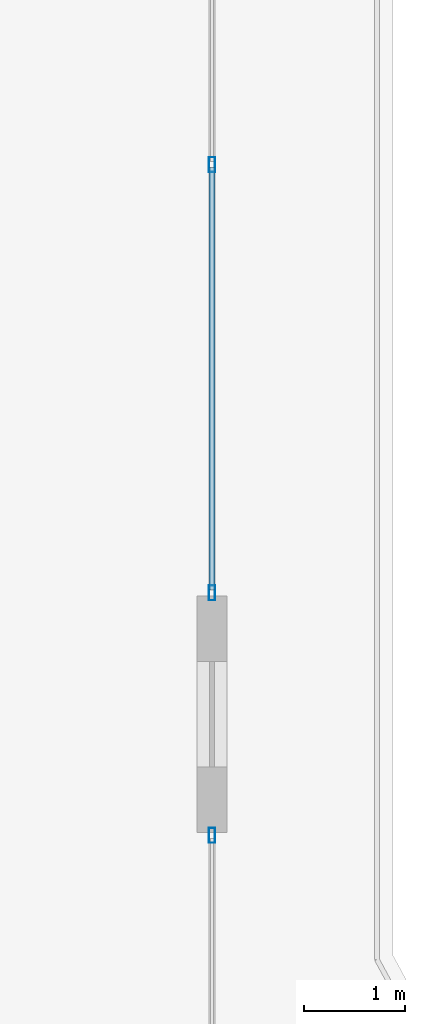
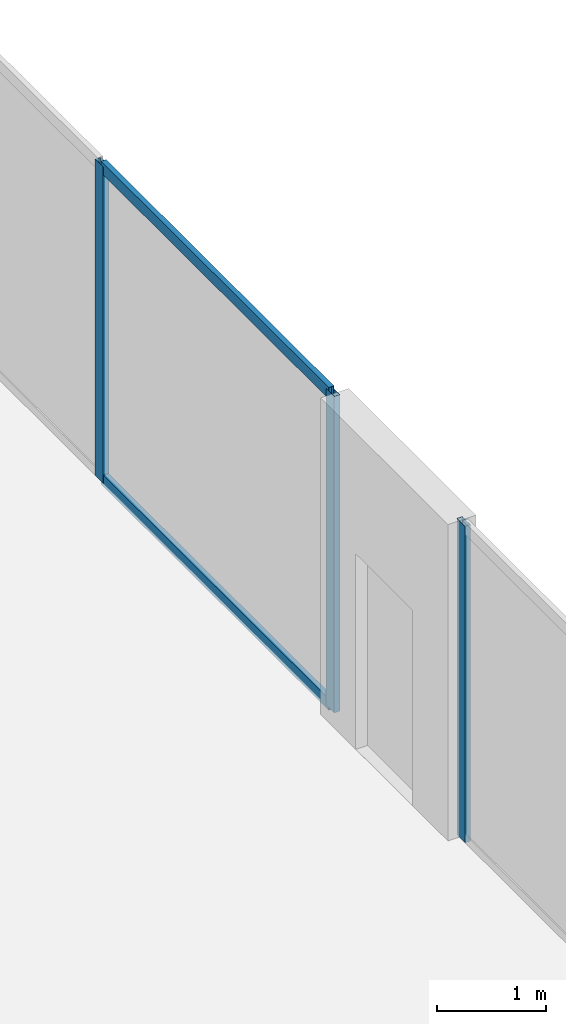
# One storey, part 15 of 27: 5 members, 2 elements without a shape of their own.
"""IFC4 building model written with IfcOpenShell, lengths in metres."""

from ifc_helpers import new_model, si_unit, direction, frame, origin, origin_2d, place, context, subcontext, project, spatial, hollow_rectangle, extrude, material, layer, layer_set, material_profile, profile_set, type_object, element, aggregate, save


model = new_model("IFC4")

# Units and contexts
model_context = context("Model", 3, precision=1e-05, world=origin(), true_north=direction((0.0, 1.0)))
body_context = subcontext(model_context, "Body", "Model", "MODEL_VIEW")
ifc_project = project(units=[si_unit("LENGTHUNIT", "METRE"), si_unit("AREAUNIT", "SQUARE_METRE"), si_unit("VOLUMEUNIT", "CUBIC_METRE"), si_unit("PLANEANGLEUNIT", "RADIAN"), si_unit("MASSUNIT", "GRAM", prefix="KILO")], contexts=[model_context])

# Site, building, storey
site_placement = place(None, origin())
site = spatial("IfcSite", under=ifc_project, at=site_placement, CompositionType="ELEMENT")
building_placement = place(site_placement, origin())
building = spatial("IfcBuilding", under=site, at=building_placement, Name="Zuhayl Quay Hotel", CompositionType="ELEMENT")
storey_placement = place(building_placement, frame((0.0, 0.0, 297.25)))
storey = spatial("IfcBuildingStorey", under=building, at=storey_placement, Name="Crown 1", CompositionType="ELEMENT", Elevation=297.25)

# Curtain wall, members
ifc_material_1 = material(Name="Anodised Aluminium 6063-T6", Category="aluminium")
ifc_layer = layer(ifc_material_1, 0.159912109375, Name="Anodised Aluminium 6063-T6", Category="aluminium")
ifc_layer_set = layer_set([ifc_layer], Name="Anodised Aluminium 6063-T6")
curtain_wall_type = type_object("IfcCurtainWallType", Name="CW_SYS_CRN", PredefinedType="USERDEFINED", material=ifc_layer_set)
curtain_wall_1_placement = place(storey_placement, origin())
curtain_wall_1 = element("IfcCurtainWall", 1, at=curtain_wall_1_placement, inside=storey, type_object=curtain_wall_type, Name="Crown 1 Curtain Wall ENV_CR1_E5_CW1", ObjectType="UNITISED CURTAIN WALL", PredefinedType="USERDEFINED")
ifc_material_2 = material(Name="Black-anodised aluminium 6063-T6", Category="aluminium")
ifc_material_profile_1 = material_profile(ifc_material_2, hollow_rectangle(XDim=0.06005859375, YDim=0.14990234375, WallThickness=0.00341796875, at=origin_2d()), Name="ALU150X60")
ifc_profile_set_1 = profile_set([ifc_material_profile_1], Name="Black-anodised aluminium 6063-T6")
member_type_1 = type_object("IfcMemberType", Name="MB_CW_MUL_150", PredefinedType="MULLION", material=ifc_profile_set_1)
member_1_placement = place(storey_placement, frame((18.39990234375, 31.96240234375, 0.0), z_axis=(0.0, 0.0, 1.0), x_axis=(1.0, 0.0, 0.0)))
member_1 = element("IfcMember", 2, at=member_1_placement, type_object=member_type_1, Name="CW-CRN mullion 2", PredefinedType="MULLION", context=body_context, shape_type="SweptSolid", body=[
    extrude(hollow_rectangle(XDim=0.06005859375, YDim=0.14990234375, WallThickness=0.00341796875, at=origin_2d()), origin(), (0.0, 0.0, 1.0), 3.56005859375),
])
member_2_placement = place(storey_placement, frame((18.39990234375, 27.705078125, 0.0), z_axis=(0.0, 0.0, 1.0), x_axis=(1.0, 0.0, 0.0)))
member_2 = element("IfcMember", 3, at=member_2_placement, type_object=member_type_1, Name="CW-CRN mullion 3", PredefinedType="MULLION", context=body_context, shape_type="SweptSolid", body=[
    extrude(hollow_rectangle(XDim=0.06005859375, YDim=0.14990234375, WallThickness=0.00341796875, at=origin_2d()), origin(), (0.0, 0.0, 1.0), 3.56005859375),
])

# Curtain wall, member
curtain_wall_2_placement = place(storey_placement, origin())
curtain_wall_2 = element("IfcCurtainWall", 4, at=curtain_wall_2_placement, inside=storey, type_object=curtain_wall_type, Name="Crown 1 Curtain Wall ENV_CR1_E5_CW2", ObjectType="UNITISED CURTAIN WALL", PredefinedType="USERDEFINED")
member_3_placement = place(storey_placement, frame((18.39990234375, 25.294921875, 0.0), z_axis=(0.0, 0.0, 1.0), x_axis=(1.0, 0.0, 0.0)))
member_3 = element("IfcMember", 5, at=member_3_placement, type_object=member_type_1, Name="CW-CRN mullion 1", PredefinedType="MULLION", context=body_context, shape_type="SweptSolid", body=[
    extrude(hollow_rectangle(XDim=0.06005859375, YDim=0.14990234375, WallThickness=0.00341796875, at=origin_2d()), origin(), (0.0, 0.0, 1.0), 3.56005859375),
])
aggregate(curtain_wall_2, [member_3])

# Member
ifc_material_profile_2 = material_profile(ifc_material_2, hollow_rectangle(XDim=0.054931640625, YDim=0.1298828125, WallThickness=0.0029296875, at=origin_2d()), Name="ALU130X55")
ifc_profile_set_2 = profile_set([ifc_material_profile_2], Name="Black-anodised aluminium 6063-T6")
member_type_2 = type_object("IfcMemberType", Name="MB_CW_TRN_130", PredefinedType="USERDEFINED", material=ifc_profile_set_2)
member_4_placement = place(storey_placement, frame((18.39990234375, 31.9326171875, 0.027587890625), z_axis=(0.0, -1.0, 0.0), x_axis=(1.0, 0.0, 0.0)))
member_4 = element("IfcMember", 6, at=member_4_placement, type_object=member_type_2, Name="CW-CRN transom 2.1", ObjectType="TRANSOM", PredefinedType="USERDEFINED", context=body_context, shape_type="SweptSolid", body=[
    extrude(hollow_rectangle(XDim=0.054931640625, YDim=0.1298828125, WallThickness=0.0029296875, at=origin_2d()), origin(), (0.0, 0.0, 1.0), 4.197509765625),
])

member_5_placement = place(storey_placement, frame((18.39990234375, 31.9326171875, 3.532470703125), z_axis=(0.0, -1.0, 0.0), x_axis=(1.0, 0.0, 0.0)))
member_5 = element("IfcMember", 7, at=member_5_placement, type_object=member_type_2, Name="CW-CRN transom 2.2", ObjectType="TRANSOM", PredefinedType="USERDEFINED", context=body_context, shape_type="SweptSolid", body=[
    extrude(hollow_rectangle(XDim=0.054931640625, YDim=0.1298828125, WallThickness=0.0029296875, at=origin_2d()), origin(), (0.0, 0.0, 1.0), 4.197509765625),
])

aggregate(curtain_wall_1, [member_1, member_2, member_4, member_5])

save(model, "model.ifc")
